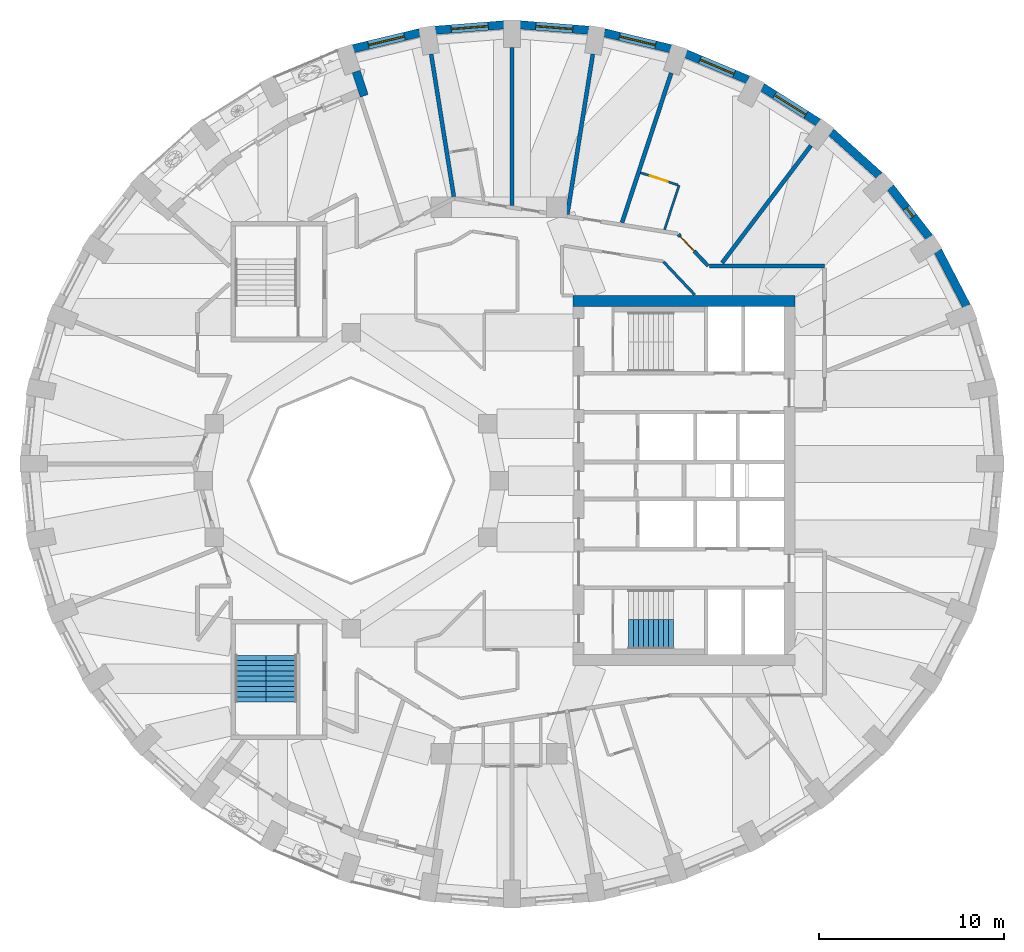
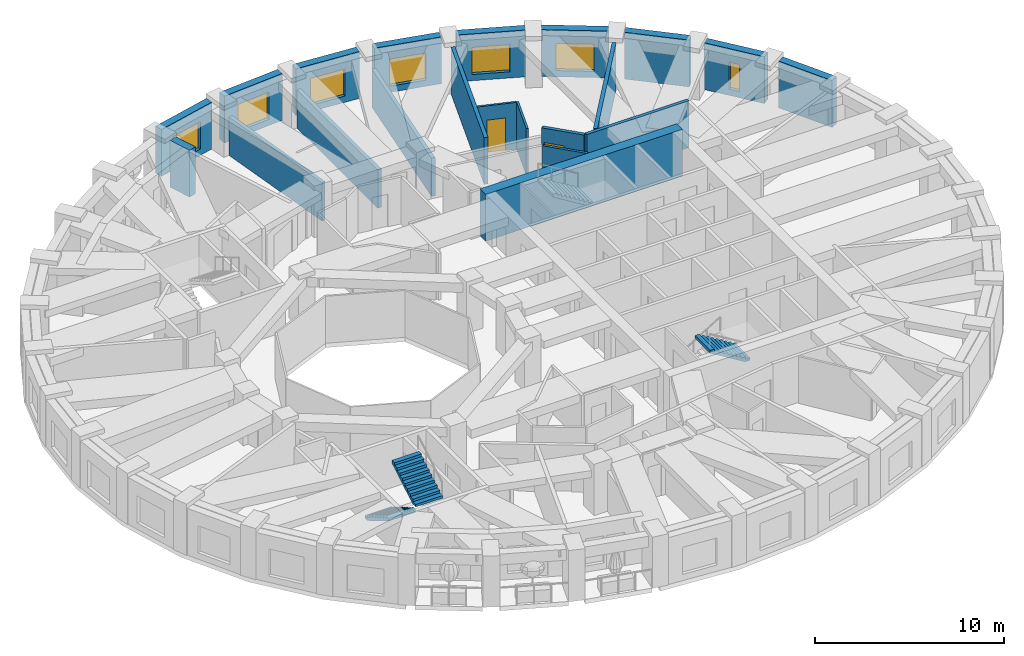
# One storey, part 8 of 12: 21 walls, 7 windows, 3 stair flights, 2 doors, 9 openings, 2 elements without a shape of their own.
"""IFC4 building model written with IfcOpenShell, lengths in metres."""

from ifc_helpers import new_model, si_unit, direction, frame, frame_2d, origin, place, context, subcontext, project, spatial, polyline, rectangle, outline, extrude, material, layer, layer_set, type_object, element, fill, aggregate, save


model = new_model("IFC4")

# Units and contexts
model_context = context("Model", 3, precision=1e-05, world=origin(), true_north=direction((0.0, 1.0)))
body_context = subcontext(model_context, "Body", "Model", "MODEL_VIEW")
ifc_project = project(units=[si_unit("LENGTHUNIT", "METRE"), si_unit("AREAUNIT", "SQUARE_METRE"), si_unit("VOLUMEUNIT", "CUBIC_METRE"), si_unit("PLANEANGLEUNIT", "RADIAN"), si_unit("MASSUNIT", "GRAM", prefix="KILO")], contexts=[model_context])

# Site, building, storey
site_placement = place(None, origin())
site = spatial("IfcSite", under=ifc_project, at=site_placement, CompositionType="ELEMENT")
building_placement = place(site_placement, origin())
building = spatial("IfcBuilding", under=site, at=building_placement, Name="Taillehof Tower", CompositionType="ELEMENT")
storey_placement = place(building_placement, frame((0.0, 0.0, 212.300048828125)))
storey = spatial("IfcBuildingStorey", under=building, at=storey_placement, Name="L60", CompositionType="ELEMENT", Elevation=212.300048828125)

# Wall
ifc_material_1 = material(Name="Brick masonry", Category="masonry")
ifc_layer_1 = layer(ifc_material_1, 0.449951171875)
ifc_layer_set_1 = layer_set([ifc_layer_1], Name="Brick infill wall 450")
wall_type_1 = type_object("IfcWallType", Name="Brick infill wall 450", PredefinedType="SOLIDWALL", material=ifc_layer_set_1)
wall_1_placement = place(storey_placement, frame((25.278076171875, 9.431640625, 0.0), z_axis=(0.0, 0.0, 1.0), x_axis=(-0.460175500475, 0.887827972505, 0.0)))
element("IfcWall", 1, at=wall_1_placement, inside=storey, type_object=wall_type_1, Name="Brick wall L60 bay 3", PredefinedType="SOLIDWALL", context=body_context, shape_type="SweptSolid", body=[
    extrude(rectangle(XDim=3.37060546875, YDim=0.449951171875, at=frame_2d((1.685302734375, 0.0))), origin(), (0.0, 0.0, 1.0), 3.02001953125),
])

# Wall, opening, window
wall_2_placement = place(storey_placement, frame((23.262939453125, 13.148193359375, 0.0), z_axis=(0.0, 0.0, 1.0), x_axis=(-0.614220816451, 0.789134201919, 0.0)))
wall_2 = element("IfcWall", 2, at=wall_2_placement, inside=storey, type_object=wall_type_1, Name="Brick wall L60 bay 4", PredefinedType="SOLIDWALL", context=body_context, shape_type="SweptSolid", body=[
    extrude(rectangle(XDim=3.437744140625, YDim=0.449951171875, at=frame_2d((1.71875, 0.0))), origin(), (0.0, 0.0, 1.0), 3.02001953125),
])
opening_1_placement = place(wall_2_placement, frame((1.4189453125, 0.0, 0.39990234375)))
opening_1 = element("IfcOpeningElement", 3, at=opening_1_placement, cuts=wall_2, Name="Opening W6", PredefinedType="OPENING", context=body_context, shape_type="SweptSolid", body=[
    extrude(rectangle(XDim=0.60009765625, YDim=1.75, at=frame_2d((0.300048828125, 0.875))), frame((0.0, 0.23486328125, 0.0), z_axis=(0.0, -1.0, 0.0), x_axis=(1.0, 0.0, 0.0)), (0.0, 0.0, 1.0), 0.469970703125),
])
ifc_material_2 = material(Name="Aluminium window frame with clear double glazing", Category="aluminium")
window_type_1 = type_object("IfcWindowType", Name="Slot window 600x1750", PartitioningType="SINGLE_PANEL", PredefinedType="WINDOW", material=ifc_material_2)
window_1_placement = place(opening_1_placement, origin())
window_1 = element("IfcWindow", 4, at=window_1_placement, inside=storey, type_object=window_type_1, Name="W6", OverallHeight=1.75, OverallWidth=0.60009765625, PartitioningType="SINGLE_PANEL", PredefinedType="WINDOW", context=body_context, shape_type="SweptSolid", body=[
    extrude(rectangle(XDim=0.60009765625, YDim=1.75, at=frame_2d((0.300048828125, 0.875))), frame((0.0, 0.034912109375, 0.0), z_axis=(0.0, -1.0, 0.0), x_axis=(1.0, 0.0, 0.0)), (0.0, 0.0, 1.0), 0.06005859375),
])
fill(opening_1, window_1)

# Wall
wall_3_placement = place(storey_placement, frame((20.56494140625, 16.490478515625, 0.0), z_axis=(0.0, 0.0, 1.0), x_axis=(-0.743442727602, 0.668799604348, 0.0)))
element("IfcWall", 5, at=wall_3_placement, inside=storey, type_object=wall_type_1, Name="Brick wall L60 bay 5", PredefinedType="SOLIDWALL", context=body_context, shape_type="SweptSolid", body=[
    extrude(rectangle(XDim=3.5126953125, YDim=0.449951171875, at=frame_2d((1.75634765625, 0.0))), origin(), (0.0, 0.0, 1.0), 3.02001953125),
])

# Wall, opening, window
wall_4_placement = place(storey_placement, frame((17.26708984375, 19.3583984375, 0.0), z_axis=(0.0, 0.0, 1.0), x_axis=(-0.846119146727, 0.532993798783, 0.0)))
wall_4 = element("IfcWall", 6, at=wall_4_placement, inside=storey, type_object=wall_type_1, Name="Brick wall L60 bay 6", PredefinedType="SOLIDWALL", context=body_context, shape_type="SweptSolid", body=[
    extrude(rectangle(XDim=3.586669921875, YDim=0.449951171875, at=frame_2d((1.79345703125, 0.0))), origin(), (0.0, 0.0, 1.0), 3.02001953125),
])
opening_2_placement = place(wall_4_placement, frame((0.79345703125, 0.0, 0.39990234375)))
opening_2 = element("IfcOpeningElement", 7, at=opening_2_placement, cuts=wall_4, Name="Opening W2", PredefinedType="OPENING", context=body_context, shape_type="SweptSolid", body=[
    extrude(rectangle(XDim=2.0, YDim=1.75, at=frame_2d((1.0, 0.875))), frame((0.0, 0.23486328125, 0.0), z_axis=(0.0, -1.0, 0.0), x_axis=(1.0, 0.0, 0.0)), (0.0, 0.0, 1.0), 0.469970703125),
])
ifc_material_3 = material(Name="Aluminium window frame with clear double glazing", Category="aluminium")
window_type_2 = type_object("IfcWindowType", Name="Deep-set window 2000x1750", PartitioningType="SINGLE_PANEL", PredefinedType="WINDOW", material=ifc_material_3)
window_2_placement = place(opening_2_placement, origin())
window_2 = element("IfcWindow", 8, at=window_2_placement, inside=storey, type_object=window_type_2, Name="W2", OverallHeight=1.75, OverallWidth=2.0, PartitioningType="SINGLE_PANEL", PredefinedType="WINDOW", context=body_context, shape_type="SweptSolid", body=[
    extrude(rectangle(XDim=2.0, YDim=1.75, at=frame_2d((1.0, 0.875))), frame((0.0, 0.034912109375, 0.0), z_axis=(0.0, -1.0, 0.0), x_axis=(1.0, 0.0, 0.0)), (0.0, 0.0, 1.0), 0.06005859375),
])
fill(opening_2, window_2)

wall_5_placement = place(storey_placement, frame((13.46923828125, 21.6669921875, 0.0), z_axis=(0.0, 0.0, 1.0), x_axis=(-0.922168222612, 0.386789050006, 0.0)))
wall_5 = element("IfcWall", 9, at=wall_5_placement, inside=storey, type_object=wall_type_1, Name="Brick wall L60 bay 7", PredefinedType="SOLIDWALL", context=body_context, shape_type="SweptSolid", body=[
    extrude(rectangle(XDim=3.65087890625, YDim=0.449951171875, at=frame_2d((1.825439453125, 0.0))), origin(), (0.0, 0.0, 1.0), 3.02001953125),
])
opening_3_placement = place(wall_5_placement, frame((0.825439453125, 0.0, 0.39990234375)))
opening_3 = element("IfcOpeningElement", 10, at=opening_3_placement, cuts=wall_5, Name="Opening W2", PredefinedType="OPENING", context=body_context, shape_type="SweptSolid", body=[
    extrude(rectangle(XDim=2.0, YDim=1.75, at=frame_2d((1.0, 0.875))), frame((0.0, 0.23486328125, 0.0), z_axis=(0.0, -1.0, 0.0), x_axis=(1.0, 0.0, 0.0)), (0.0, 0.0, 1.0), 0.469970703125),
])
window_3_placement = place(opening_3_placement, origin())
window_3 = element("IfcWindow", 11, at=window_3_placement, inside=storey, type_object=window_type_2, Name="W2", OverallHeight=1.75, OverallWidth=2.0, PartitioningType="SINGLE_PANEL", PredefinedType="WINDOW", context=body_context, shape_type="SweptSolid", body=[
    extrude(rectangle(XDim=2.0, YDim=1.75, at=frame_2d((1.0, 0.875))), frame((0.0, 0.034912109375, 0.0), z_axis=(0.0, -1.0, 0.0), x_axis=(1.0, 0.0, 0.0)), (0.0, 0.0, 1.0), 0.06005859375),
])
fill(opening_3, window_3)

wall_6_placement = place(storey_placement, frame((9.285400390625, 23.34716796875, 0.0), z_axis=(0.0, 0.0, 1.0), x_axis=(-0.972173533246, 0.234261864708, 0.0)))
wall_6 = element("IfcWall", 12, at=wall_6_placement, inside=storey, type_object=wall_type_1, Name="Brick wall L60 bay 8", PredefinedType="SOLIDWALL", context=body_context, shape_type="SweptSolid", body=[
    extrude(rectangle(XDim=3.697509765625, YDim=0.449951171875, at=frame_2d((1.8486328125, 0.0))), origin(), (0.0, 0.0, 1.0), 3.02001953125),
])
opening_4_placement = place(wall_6_placement, frame((0.848876953125, 0.0, 0.39990234375)))
opening_4 = element("IfcOpeningElement", 13, at=opening_4_placement, cuts=wall_6, Name="Opening W2", PredefinedType="OPENING", context=body_context, shape_type="SweptSolid", body=[
    extrude(rectangle(XDim=2.0, YDim=1.75, at=frame_2d((1.0, 0.875))), frame((0.0, 0.23486328125, 0.0), z_axis=(0.0, -1.0, 0.0), x_axis=(1.0, 0.0, 0.0)), (0.0, 0.0, 1.0), 0.469970703125),
])
window_4_placement = place(opening_4_placement, origin())
window_4 = element("IfcWindow", 14, at=window_4_placement, inside=storey, type_object=window_type_2, Name="W2", OverallHeight=1.75, OverallWidth=2.0, PartitioningType="SINGLE_PANEL", PredefinedType="WINDOW", context=body_context, shape_type="SweptSolid", body=[
    extrude(rectangle(XDim=2.0, YDim=1.75, at=frame_2d((1.0, 0.875))), frame((0.0, 0.034912109375, 0.0), z_axis=(0.0, -1.0, 0.0), x_axis=(1.0, 0.0, 0.0)), (0.0, 0.0, 1.0), 0.06005859375),
])
fill(opening_4, window_4)

wall_7_placement = place(storey_placement, frame((4.841064453125, 24.348388671875, 0.0), z_axis=(0.0, 0.0, 1.0), x_axis=(-0.996918697878, 0.078441760701, 0.0)))
wall_7 = element("IfcWall", 15, at=wall_7_placement, inside=storey, type_object=wall_type_1, Name="Brick wall L60 bay 9", PredefinedType="SOLIDWALL", context=body_context, shape_type="SweptSolid", body=[
    extrude(rectangle(XDim=3.722412109375, YDim=0.449951171875, at=frame_2d((1.861328125, 0.0))), origin(), (0.0, 0.0, 1.0), 3.02001953125),
])
opening_5_placement = place(wall_7_placement, frame((0.861328125, 0.0, 0.39990234375)))
opening_5 = element("IfcOpeningElement", 16, at=opening_5_placement, cuts=wall_7, Name="Opening W2", PredefinedType="OPENING", context=body_context, shape_type="SweptSolid", body=[
    extrude(rectangle(XDim=2.0, YDim=1.75, at=frame_2d((1.0, 0.875))), frame((0.0, 0.23486328125, 0.0), z_axis=(0.0, -1.0, 0.0), x_axis=(1.0, 0.0, 0.0)), (0.0, 0.0, 1.0), 0.469970703125),
])
window_5_placement = place(opening_5_placement, origin())
window_5 = element("IfcWindow", 17, at=window_5_placement, inside=storey, type_object=window_type_2, Name="W2", OverallHeight=1.75, OverallWidth=2.0, PartitioningType="SINGLE_PANEL", PredefinedType="WINDOW", context=body_context, shape_type="SweptSolid", body=[
    extrude(rectangle(XDim=2.0, YDim=1.75, at=frame_2d((1.0, 0.875))), frame((0.0, 0.034912109375, 0.0), z_axis=(0.0, -1.0, 0.0), x_axis=(1.0, 0.0, 0.0)), (0.0, 0.0, 1.0), 0.06005859375),
])
fill(opening_5, window_5)

wall_8_placement = place(storey_placement, frame((0.27001953125, 24.640380859375, 0.0), z_axis=(0.0, 0.0, 1.0), x_axis=(-0.996919101401, -0.078436632148, 0.0)))
wall_8 = element("IfcWall", 18, at=wall_8_placement, inside=storey, type_object=wall_type_1, Name="Brick wall L60 bay 10", PredefinedType="SOLIDWALL", context=body_context, shape_type="SweptSolid", body=[
    extrude(rectangle(XDim=3.72265625, YDim=0.449951171875, at=frame_2d((1.861328125, 0.0))), origin(), (0.0, 0.0, 1.0), 3.02001953125),
])
opening_6_placement = place(wall_8_placement, frame((0.861328125, 0.0, 0.39990234375)))
opening_6 = element("IfcOpeningElement", 19, at=opening_6_placement, cuts=wall_8, Name="Opening W2", PredefinedType="OPENING", context=body_context, shape_type="SweptSolid", body=[
    extrude(rectangle(XDim=2.0, YDim=1.75, at=frame_2d((1.0, 0.875))), frame((0.0, 0.23486328125, 0.0), z_axis=(0.0, -1.0, 0.0), x_axis=(1.0, 0.0, 0.0)), (0.0, 0.0, 1.0), 0.469970703125),
])
window_6_placement = place(opening_6_placement, origin())
window_6 = element("IfcWindow", 20, at=window_6_placement, inside=storey, type_object=window_type_2, Name="W2", OverallHeight=1.75, OverallWidth=2.0, PartitioningType="SINGLE_PANEL", PredefinedType="WINDOW", context=body_context, shape_type="SweptSolid", body=[
    extrude(rectangle(XDim=2.0, YDim=1.75, at=frame_2d((1.0, 0.875))), frame((0.0, 0.034912109375, 0.0), z_axis=(0.0, -1.0, 0.0), x_axis=(1.0, 0.0, 0.0)), (0.0, 0.0, 1.0), 0.06005859375),
])
fill(opening_6, window_6)

wall_9_placement = place(storey_placement, frame((-4.29052734375, 24.21337890625, 0.0), z_axis=(0.0, 0.0, 1.0), x_axis=(-0.972173533246, -0.234261864708, 0.0)))
wall_9 = element("IfcWall", 21, at=wall_9_placement, inside=storey, type_object=wall_type_1, Name="Brick wall L60 bay 11", PredefinedType="SOLIDWALL", context=body_context, shape_type="SweptSolid", body=[
    extrude(rectangle(XDim=3.697509765625, YDim=0.449951171875, at=frame_2d((1.8486328125, 0.0))), origin(), (0.0, 0.0, 1.0), 3.02001953125),
])
opening_7_placement = place(wall_9_placement, frame((0.848876953125, 0.0, 0.39990234375)))
opening_7 = element("IfcOpeningElement", 22, at=opening_7_placement, cuts=wall_9, Name="Opening W2", PredefinedType="OPENING", context=body_context, shape_type="SweptSolid", body=[
    extrude(rectangle(XDim=2.0, YDim=1.75, at=frame_2d((1.0, 0.875))), frame((0.0, 0.23486328125, 0.0), z_axis=(0.0, -1.0, 0.0), x_axis=(1.0, 0.0, 0.0)), (0.0, 0.0, 1.0), 0.469970703125),
])
window_7_placement = place(opening_7_placement, origin())
window_7 = element("IfcWindow", 23, at=window_7_placement, inside=storey, type_object=window_type_2, Name="W2", OverallHeight=1.75, OverallWidth=2.0, PartitioningType="SINGLE_PANEL", PredefinedType="WINDOW", context=body_context, shape_type="SweptSolid", body=[
    extrude(rectangle(XDim=2.0, YDim=1.75, at=frame_2d((1.0, 0.875))), frame((0.0, 0.034912109375, 0.0), z_axis=(0.0, -1.0, 0.0), x_axis=(1.0, 0.0, 0.0)), (0.0, 0.0, 1.0), 0.06005859375),
])
fill(opening_7, window_7)

# Wall
wall_10_placement = place(storey_placement, frame((-7.722412109375, 22.116943359375, 0.0), z_axis=(0.0, 0.0, 1.0), x_axis=(0.312062715826, -0.950061504005, 0.0)))
element("IfcWall", 24, at=wall_10_placement, inside=storey, type_object=wall_type_1, Name="Brick reveal L60 pocket 3", PredefinedType="SOLIDWALL", context=body_context, shape_type="SweptSolid", body=[
    extrude(rectangle(XDim=1.39013671875, YDim=0.449951171875, at=frame_2d((0.695068359375, 0.0))), origin(), (0.0, 0.0, 1.0), 3.02001953125),
])

# Wall, opening, door
ifc_material_4 = material(Name="Gypsum board on steel studs, two layers each side", Category="steel")
ifc_layer_2 = layer(ifc_material_4, 0.199951171875)
ifc_layer_set_2 = layer_set([ifc_layer_2], Name="Compartment wall corridor 200")
wall_type_2 = type_object("IfcWallType", Name="Compartment wall corridor 200", PredefinedType="PARTITIONING", material=ifc_layer_set_2)
wall_11_placement = place(storey_placement, frame((9.6982421875, 13.303955078125, 0.0), z_axis=(0.0, 0.0, 1.0), x_axis=(0.686553169295, -0.727079600684, 0.0)))
wall_11 = element("IfcWall", 25, at=wall_11_placement, inside=storey, type_object=wall_type_2, Name="Compartment wall", PredefinedType="PARTITIONING", context=body_context, shape_type="SweptSolid", body=[
    extrude(rectangle(XDim=2.343505859375, YDim=0.199951171875, at=frame_2d((1.171875, 0.0))), origin(), (0.0, 0.0, 1.0), 3.02001953125),
])
opening_8_placement = place(wall_11_placement, frame((0.139892578125, 0.0, 0.0)))
opening_8 = element("IfcOpeningElement", 26, at=opening_8_placement, cuts=wall_11, Name="Opening D6040", PredefinedType="OPENING", context=body_context, shape_type="SweptSolid", body=[
    extrude(rectangle(XDim=1.10009765625, YDim=2.10009765625, at=frame_2d((0.550048828125, 1.050048828125))), frame((0.0, 0.10986328125, 0.0), z_axis=(0.0, -1.0, 0.0), x_axis=(1.0, 0.0, 0.0)), (0.0, 0.0, 1.0), 0.219970703125),
])
ifc_material_5 = material(Name="Timber door leaf in steel frame", Category="steel")
door_type_1 = type_object("IfcDoorType", Name="Accessible guest room door EI 30 1100 x 2100", OperationType="SINGLE_SWING_LEFT", PredefinedType="DOOR", material=ifc_material_5)
door_1_placement = place(opening_8_placement, origin())
door_1 = element("IfcDoor", 27, at=door_1_placement, inside=storey, type_object=door_type_1, Name="D6040", OperationType="SINGLE_SWING_RIGHT", OverallHeight=2.10009765625, OverallWidth=1.10009765625, PredefinedType="DOOR", context=body_context, shape_type="SweptSolid", body=[
    extrude(rectangle(XDim=1.10009765625, YDim=2.10009765625, at=frame_2d((0.550048828125, 1.050048828125))), frame((0.0, 0.02490234375, 0.0), z_axis=(0.0, -1.0, 0.0), x_axis=(1.0, 0.0, 0.0)), (0.0, 0.0, 1.0), 0.050048828125),
])
fill(opening_8, door_1)

# Walls
wall_12_placement = place(storey_placement, frame((11.38720703125, 11.60009765625, 0.0), z_axis=(0.0, 0.0, 1.0), x_axis=(1.0, 0.0, 0.0)))
element("IfcWall", 28, at=wall_12_placement, inside=storey, type_object=wall_type_2, Name="Compartment wall", PredefinedType="PARTITIONING", context=body_context, shape_type="SweptSolid", body=[
    extrude(rectangle(XDim=6.212890625, YDim=0.199951171875, at=frame_2d((3.1064453125, 0.0))), origin(), (0.0, 0.0, 1.0), 3.02001953125),
])
ifc_material_6 = material(Name="Gypsum board on double steel studs with mineral wool", Category="steel")
ifc_layer_3 = layer(ifc_material_6, 0.219970703125)
ifc_layer_set_3 = layer_set([ifc_layer_3], Name="Compartment wall guest room 220")
wall_type_3 = type_object("IfcWallType", Name="Compartment wall guest room 220", PredefinedType="PARTITIONING", material=ifc_layer_set_3)
wall_13_placement = place(storey_placement, frame((16.86328125, 18.112548828125, 0.0), z_axis=(0.0, 0.0, 1.0), x_axis=(-0.603628639054, -0.797265618294, 0.0)))
element("IfcWall", 29, at=wall_13_placement, inside=storey, type_object=wall_type_3, Name="Compartment wall", PredefinedType="PARTITIONING", context=body_context, shape_type="SweptSolid", body=[
    extrude(rectangle(XDim=7.96337890625, YDim=0.219970703125, at=frame_2d((3.981689453125, 0.0))), origin(), (0.0, 0.0, 1.0), 3.02001953125),
])
wall_14_placement = place(storey_placement, frame((9.30712890625, 22.035400390625, 0.0), z_axis=(0.0, 0.0, 1.0), x_axis=(-0.311959631661, -0.950095357432, 0.0)))
element("IfcWall", 30, at=wall_14_placement, inside=storey, type_object=wall_type_3, Name="Compartment wall", PredefinedType="PARTITIONING", context=body_context, shape_type="SweptSolid", body=[
    extrude(rectangle(XDim=8.517822265625, YDim=0.219970703125, at=frame_2d((4.2587890625, 0.0))), origin(), (0.0, 0.0, 1.0), 3.02001953125),
])
wall_15_placement = place(storey_placement, frame((5.071044921875, 23.05615234375, 0.0), z_axis=(0.0, 0.0, 1.0), x_axis=(-0.157127996446, -0.987578246385, 0.0)))
element("IfcWall", 31, at=wall_15_placement, inside=storey, type_object=wall_type_3, Name="Compartment wall", PredefinedType="PARTITIONING", context=body_context, shape_type="SweptSolid", body=[
    extrude(rectangle(XDim=8.77734375, YDim=0.219970703125, at=frame_2d((4.388671875, 0.0))), origin(), (0.0, 0.0, 1.0), 2.469970703125),
])
wall_16_placement = place(storey_placement, frame((0.699951171875, 23.39990234375, 0.0), z_axis=(0.0, 0.0, 1.0), x_axis=(0.0, -1.0, 0.0)))
element("IfcWall", 32, at=wall_16_placement, inside=storey, type_object=wall_type_3, Name="Compartment wall", PredefinedType="PARTITIONING", context=body_context, shape_type="SweptSolid", body=[
    extrude(rectangle(XDim=8.52099609375, YDim=0.219970703125, at=frame_2d((4.260498046875, 0.0))), origin(), (0.0, 0.0, 1.0), 2.469970703125),
])
wall_17_placement = place(storey_placement, frame((-3.6708984375, 23.05615234375, 0.0), z_axis=(0.0, 0.0, 1.0), x_axis=(0.157092158108, -0.987583947754, 0.0)))
element("IfcWall", 33, at=wall_17_placement, inside=storey, type_object=wall_type_3, Name="Compartment wall", PredefinedType="PARTITIONING", context=body_context, shape_type="SweptSolid", body=[
    extrude(rectangle(XDim=7.8017578125, YDim=0.219970703125, at=frame_2d((3.90087890625, 0.0))), origin(), (0.0, 0.0, 1.0), 2.469970703125),
])
ifc_material_7 = material(Name="Gypsum board on steel studs, two layers each side", Category="steel")
ifc_layer_4 = layer(ifc_material_7, 0.14990234375)
ifc_layer_set_4 = layer_set([ifc_layer_4], Name="Compartment wall service room 150")
wall_type_4 = type_object("IfcWallType", Name="Compartment wall service room 150", PredefinedType="PARTITIONING", material=ifc_layer_set_4)
wall_18_placement = place(storey_placement, frame((8.896240234375, 11.822998046875, 0.0), z_axis=(0.0, 0.0, 1.0), x_axis=(0.686471254033, -0.727156941373, 0.0)))
element("IfcWall", 34, at=wall_18_placement, inside=storey, type_object=wall_type_4, Name="Compartment wall", PredefinedType="PARTITIONING", context=body_context, shape_type="SweptSolid", body=[
    extrude(rectangle(XDim=2.4482421875, YDim=0.14990234375, at=frame_2d((1.22412109375, 0.0))), origin(), (0.0, 0.0, 1.0), 3.02001953125),
])
ifc_material_8 = material(Name="Concrete C80/95", Category="concrete")
ifc_layer_5 = layer(ifc_material_8, 0.60009765625)
ifc_layer_set_5 = layer_set([ifc_layer_5], Name="Core wall C80/95 600")
wall_type_5 = type_object("IfcWallType", Name="Core wall C80/95 600", PredefinedType="SHEAR", material=ifc_layer_set_5)
wall_19_placement = place(storey_placement, frame((4.0, 9.699951171875, 0.0), z_axis=(0.0, 0.0, 1.0), x_axis=(1.0, 0.0, 0.0)))
element("IfcWall", 35, at=wall_19_placement, inside=storey, type_object=wall_type_5, Name="Core wall CW06", PredefinedType="SHEAR", context=body_context, shape_type="SweptSolid", body=[
    extrude(rectangle(XDim=12.0, YDim=0.60009765625, at=frame_2d((6.0, 0.0))), origin(), (0.0, 0.0, 1.0), 3.02001953125),
])
ifc_material_9 = material(Name="Gypsum board on steel studs, moisture resistant", Category="steel")
ifc_layer_6 = layer(ifc_material_9, 0.1201171875)
ifc_layer_set_6 = layer_set([ifc_layer_6], Name="En-suite wall 120")
wall_type_6 = type_object("IfcWallType", Name="En-suite wall 120", PredefinedType="PARTITIONING", material=ifc_layer_set_6)
wall_20_placement = place(storey_placement, frame((8.9453125, 13.561279296875, 0.0), z_axis=(0.0, 0.0, 1.0), x_axis=(0.311960021399, 0.950095229463, 0.0)))
element("IfcWall", 36, at=wall_20_placement, inside=storey, type_object=wall_type_6, Name="En-suite wall", PredefinedType="PARTITIONING", context=body_context, shape_type="SweptSolid", body=[
    extrude(rectangle(XDim=2.524658203125, YDim=0.1201171875, at=frame_2d((1.26220703125, 0.0))), origin(), (0.0, 0.0, 1.0), 3.02001953125),
])

# Wall, opening, door
wall_21_placement = place(storey_placement, frame((9.67578125, 15.97900390625, 0.0), z_axis=(0.0, 0.0, 1.0), x_axis=(-0.950106513103, 0.311925654217, 0.0)))
wall_21 = element("IfcWall", 37, at=wall_21_placement, inside=storey, type_object=wall_type_6, Name="En-suite wall", PredefinedType="PARTITIONING", context=body_context, shape_type="SweptSolid", body=[
    extrude(rectangle(XDim=2.129638671875, YDim=0.1201171875, at=frame_2d((1.06494140625, 0.0))), origin(), (0.0, 0.0, 1.0), 3.02001953125),
])
opening_9_placement = place(wall_21_placement, frame((0.58984375, 0.0, 0.0)))
opening_9 = element("IfcOpeningElement", 38, at=opening_9_placement, cuts=wall_21, Name="Opening D6041", PredefinedType="OPENING", context=body_context, shape_type="SweptSolid", body=[
    extrude(rectangle(XDim=1.0, YDim=2.10009765625, at=frame_2d((0.5, 1.050048828125))), frame((0.0, 0.070068359375, 0.0), z_axis=(0.0, -1.0, 0.0), x_axis=(1.0, 0.0, 0.0)), (0.0, 0.0, 1.0), 0.14013671875),
])
ifc_material_10 = material(Name="Timber door leaf in steel frame", Category="steel")
door_type_2 = type_object("IfcDoorType", Name="Accessible en-suite door 1000 x 2100", OperationType="SINGLE_SWING_LEFT", PredefinedType="DOOR", material=ifc_material_10)
door_2_placement = place(opening_9_placement, origin())
door_2 = element("IfcDoor", 39, at=door_2_placement, inside=storey, type_object=door_type_2, Name="D6041", OperationType="SINGLE_SWING_LEFT", OverallHeight=2.10009765625, OverallWidth=1.0, PredefinedType="DOOR", context=body_context, shape_type="SweptSolid", body=[
    extrude(rectangle(XDim=1.0, YDim=2.10009765625, at=frame_2d((0.5, 1.050048828125))), frame((0.0, 0.02490234375, 0.0), z_axis=(0.0, -1.0, 0.0), x_axis=(1.0, 0.0, 0.0)), (0.0, 0.0, 1.0), 0.050048828125),
])
fill(opening_9, door_2)

# Stair, stair flight
ifc_material_11 = material(Name="Concrete C40/50", Category="concrete")
stair_type = type_object("IfcStairType", Name="Exit stair half-turn", PredefinedType="HALF_TURN_STAIR", material=ifc_material_11)
stair_1_placement = place(storey_placement, origin())
stair_1 = element("IfcStair", 40, at=stair_1_placement, inside=storey, type_object=stair_type, Name="Exit stair S2", PredefinedType="HALF_TURN_STAIR")
ifc_material_12 = material(Name="Concrete C40/50", Category="concrete")
stair_flight_type_1 = type_object("IfcStairFlightType", Name="Stair flight 1600 riser 165.0 going 270", PredefinedType="STRAIGHT", material=ifc_material_12)
stair_flight_1_placement = place(storey_placement, frame((9.429931640625, -8.300048828125, 1.64990234375), z_axis=(0.0, 0.0, 1.0), x_axis=(-1.0, 0.0, 0.0)))
stair_flight_1 = element("IfcStairFlight", 41, at=stair_flight_1_placement, type_object=stair_flight_type_1, Name="S2 flight 2", NumberOfRisers=10, NumberOfTreads=9, PredefinedType="STRAIGHT", RiserHeight=0.165, TreadLength=0.27, context=body_context, shape_type="SweptSolid", body=[
    extrude(outline(polyline([(0.0, 0.0), (0.0, 0.00537109375), (0.0, 0.0107421875), (0.0, 0.015869140625), (0.0, 0.021240234375), (0.0, 0.026611328125), (0.0, 0.031982421875), (0.0, 0.037353515625), (0.0, 0.04248046875), (0.0, 0.0478515625), (0.0, 0.05322265625), (0.0, 0.05859375), (0.0, 0.06396484375), (0.0, 0.069091796875), (0.0, 0.074462890625), (0.0, 0.079833984375), (0.0, 0.085205078125), (0.0, 0.090576171875), (0.0, 0.095703125), (0.0, 0.10107421875), (0.0, 0.1064453125), (0.0, 0.11181640625), (0.0, 0.1171875), (0.0, 0.122314453125), (0.0, 0.127685546875), (0.0, 0.133056640625), (0.0, 0.138427734375), (0.0, 0.143798828125), (0.0, 0.14892578125), (0.0, 0.154296875), (0.0, 0.15966796875), (0.0, 0.1650390625), (0.27001953125, 0.1650390625), (0.27001953125, 0.330078125), (0.5400390625, 0.330078125), (0.5400390625, 0.4951171875), (0.81005859375, 0.4951171875), (0.81005859375, 0.659912109375), (1.080078125, 0.659912109375), (1.080078125, 0.824951171875), (1.35009765625, 0.824951171875), (1.35009765625, 0.989990234375), (1.6201171875, 0.989990234375), (1.6201171875, 1.155029296875), (1.889892578125, 1.155029296875), (1.889892578125, 1.320068359375), (2.159912109375, 1.320068359375), (2.159912109375, 1.485107421875), (2.429931640625, 1.485107421875), (2.429931640625, 1.479248046875), (2.429931640625, 1.4736328125), (2.429931640625, 1.468017578125), (2.429931640625, 1.46240234375), (2.429931640625, 1.45654296875), (2.429931640625, 1.450927734375), (2.429931640625, 1.4453125), (2.429931640625, 1.439697265625), (2.429931640625, 1.43408203125), (2.429931640625, 1.42822265625), (2.429931640625, 1.422607421875), (2.429931640625, 1.4169921875), (2.429931640625, 1.411376953125), (2.429931640625, 1.40576171875), (2.429931640625, 1.39990234375), (2.429931640625, 1.394287109375), (2.429931640625, 1.388671875), (2.429931640625, 1.383056640625), (2.429931640625, 1.37744140625), (2.429931640625, 1.37158203125), (2.429931640625, 1.365966796875), (2.429931640625, 1.3603515625), (2.429931640625, 1.354736328125), (2.429931640625, 1.348876953125), (2.429931640625, 1.34326171875), (2.429931640625, 1.337646484375), (2.429931640625, 1.33203125), (2.429931640625, 1.326416015625), (2.429931640625, 1.320556640625), (2.429931640625, 1.31494140625), (2.429931640625, 1.309326171875), (0.287353515625, 0.0), (0.0, 0.0)])), frame((0.0, 0.800048828125, 0.0), z_axis=(0.0, -1.0, 0.0), x_axis=(1.0, 0.0, 0.0)), (0.0, 0.0, 1.0), 1.6),
])
aggregate(stair_1, [stair_flight_1])

# Stair, stair flights
stair_2_placement = place(storey_placement, origin())
stair_2 = element("IfcStair", 42, at=stair_2_placement, inside=storey, type_object=stair_type, Name="Exit stair S4", PredefinedType="HALF_TURN_STAIR")
ifc_material_13 = material(Name="Concrete C40/50", Category="concrete")
stair_flight_type_2 = type_object("IfcStairFlightType", Name="Stair flight 1650 riser 165.0 going 280", PredefinedType="STRAIGHT", material=ifc_material_13)
stair_flight_2_placement = place(storey_placement, frame((-13.425048828125, -9.449951171875, 0.0), z_axis=(0.0, 0.0, 1.0), x_axis=(0.0, -1.0, 0.0)))
stair_flight_2 = element("IfcStairFlight", 43, at=stair_flight_2_placement, type_object=stair_flight_type_2, Name="S4 flight 1", NumberOfRisers=10, NumberOfTreads=9, PredefinedType="STRAIGHT", RiserHeight=0.165, TreadLength=0.28, context=body_context, shape_type="SweptSolid", body=[
    extrude(outline(polyline([(0.0, 0.0), (0.0, 0.00537109375), (0.0, 0.0107421875), (0.0, 0.015869140625), (0.0, 0.021240234375), (0.0, 0.026611328125), (0.0, 0.031982421875), (0.0, 0.037353515625), (0.0, 0.04248046875), (0.0, 0.0478515625), (0.0, 0.05322265625), (0.0, 0.05859375), (0.0, 0.06396484375), (0.0, 0.069091796875), (0.0, 0.074462890625), (0.0, 0.079833984375), (0.0, 0.085205078125), (0.0, 0.090576171875), (0.0, 0.095703125), (0.0, 0.10107421875), (0.0, 0.1064453125), (0.0, 0.11181640625), (0.0, 0.1171875), (0.0, 0.122314453125), (0.0, 0.127685546875), (0.0, 0.133056640625), (0.0, 0.138427734375), (0.0, 0.143798828125), (0.0, 0.14892578125), (0.0, 0.154296875), (0.0, 0.15966796875), (0.0, 0.1650390625), (0.280029296875, 0.1650390625), (0.280029296875, 0.330078125), (0.56005859375, 0.330078125), (0.56005859375, 0.4951171875), (0.840087890625, 0.4951171875), (0.840087890625, 0.659912109375), (1.1201171875, 0.659912109375), (1.1201171875, 0.824951171875), (1.39990234375, 0.824951171875), (1.39990234375, 0.989990234375), (1.679931640625, 0.989990234375), (1.679931640625, 1.155029296875), (1.9599609375, 1.155029296875), (1.9599609375, 1.320068359375), (2.239990234375, 1.320068359375), (2.239990234375, 1.485107421875), (2.52001953125, 1.485107421875), (2.52001953125, 1.4794921875), (2.52001953125, 1.473876953125), (2.52001953125, 1.46826171875), (2.52001953125, 1.462646484375), (2.52001953125, 1.45703125), (2.52001953125, 1.451416015625), (2.52001953125, 1.44580078125), (2.52001953125, 1.440185546875), (2.52001953125, 1.4345703125), (2.52001953125, 1.428955078125), (2.52001953125, 1.42333984375), (2.52001953125, 1.417724609375), (2.52001953125, 1.412109375), (2.52001953125, 1.406494140625), (2.52001953125, 1.40087890625), (2.52001953125, 1.395263671875), (2.52001953125, 1.3896484375), (2.52001953125, 1.384033203125), (2.52001953125, 1.37841796875), (2.52001953125, 1.372802734375), (2.52001953125, 1.3671875), (2.52001953125, 1.361572265625), (2.52001953125, 1.35595703125), (2.52001953125, 1.350341796875), (2.52001953125, 1.3447265625), (2.52001953125, 1.339111328125), (2.52001953125, 1.33349609375), (2.52001953125, 1.327880859375), (2.52001953125, 1.322265625), (2.52001953125, 1.316650390625), (2.52001953125, 1.31103515625), (0.295166015625, 0.0), (0.0, 0.0)])), frame((0.0, 0.824951171875, 0.0), z_axis=(0.0, -1.0, 0.0), x_axis=(1.0, 0.0, 0.0)), (0.0, 0.0, 1.0), 1.65),
])
stair_flight_3_placement = place(storey_placement, frame((-11.77490234375, -11.969970703125, 1.64990234375), z_axis=(0.0, 0.0, 1.0), x_axis=(0.0, 1.0, 0.0)))
stair_flight_3 = element("IfcStairFlight", 44, at=stair_flight_3_placement, type_object=stair_flight_type_2, Name="S4 flight 2", NumberOfRisers=10, NumberOfTreads=9, PredefinedType="STRAIGHT", RiserHeight=0.165, TreadLength=0.28, context=body_context, shape_type="SweptSolid", body=[
    extrude(outline(polyline([(0.0, 0.0), (0.0, 0.00537109375), (0.0, 0.0107421875), (0.0, 0.015869140625), (0.0, 0.021240234375), (0.0, 0.026611328125), (0.0, 0.031982421875), (0.0, 0.037353515625), (0.0, 0.04248046875), (0.0, 0.0478515625), (0.0, 0.05322265625), (0.0, 0.05859375), (0.0, 0.06396484375), (0.0, 0.069091796875), (0.0, 0.074462890625), (0.0, 0.079833984375), (0.0, 0.085205078125), (0.0, 0.090576171875), (0.0, 0.095703125), (0.0, 0.10107421875), (0.0, 0.1064453125), (0.0, 0.11181640625), (0.0, 0.1171875), (0.0, 0.122314453125), (0.0, 0.127685546875), (0.0, 0.133056640625), (0.0, 0.138427734375), (0.0, 0.143798828125), (0.0, 0.14892578125), (0.0, 0.154296875), (0.0, 0.15966796875), (0.0, 0.1650390625), (0.280029296875, 0.1650390625), (0.280029296875, 0.330078125), (0.56005859375, 0.330078125), (0.56005859375, 0.4951171875), (0.840087890625, 0.4951171875), (0.840087890625, 0.659912109375), (1.1201171875, 0.659912109375), (1.1201171875, 0.824951171875), (1.39990234375, 0.824951171875), (1.39990234375, 0.989990234375), (1.679931640625, 0.989990234375), (1.679931640625, 1.155029296875), (1.9599609375, 1.155029296875), (1.9599609375, 1.320068359375), (2.239990234375, 1.320068359375), (2.239990234375, 1.485107421875), (2.52001953125, 1.485107421875), (2.52001953125, 1.4794921875), (2.52001953125, 1.473876953125), (2.52001953125, 1.46826171875), (2.52001953125, 1.462646484375), (2.52001953125, 1.45703125), (2.52001953125, 1.451416015625), (2.52001953125, 1.44580078125), (2.52001953125, 1.440185546875), (2.52001953125, 1.4345703125), (2.52001953125, 1.428955078125), (2.52001953125, 1.42333984375), (2.52001953125, 1.417724609375), (2.52001953125, 1.412109375), (2.52001953125, 1.406494140625), (2.52001953125, 1.40087890625), (2.52001953125, 1.395263671875), (2.52001953125, 1.3896484375), (2.52001953125, 1.384033203125), (2.52001953125, 1.37841796875), (2.52001953125, 1.372802734375), (2.52001953125, 1.3671875), (2.52001953125, 1.361572265625), (2.52001953125, 1.35595703125), (2.52001953125, 1.350341796875), (2.52001953125, 1.3447265625), (2.52001953125, 1.339111328125), (2.52001953125, 1.33349609375), (2.52001953125, 1.327880859375), (2.52001953125, 1.322265625), (2.52001953125, 1.316650390625), (2.52001953125, 1.31103515625), (0.295166015625, 0.0), (0.0, 0.0)])), frame((0.0, 0.824951171875, 0.0), z_axis=(0.0, -1.0, 0.0), x_axis=(1.0, 0.0, 0.0)), (0.0, 0.0, 1.0), 1.65),
])
aggregate(stair_2, [stair_flight_2, stair_flight_3])

save(model, "model.ifc")
